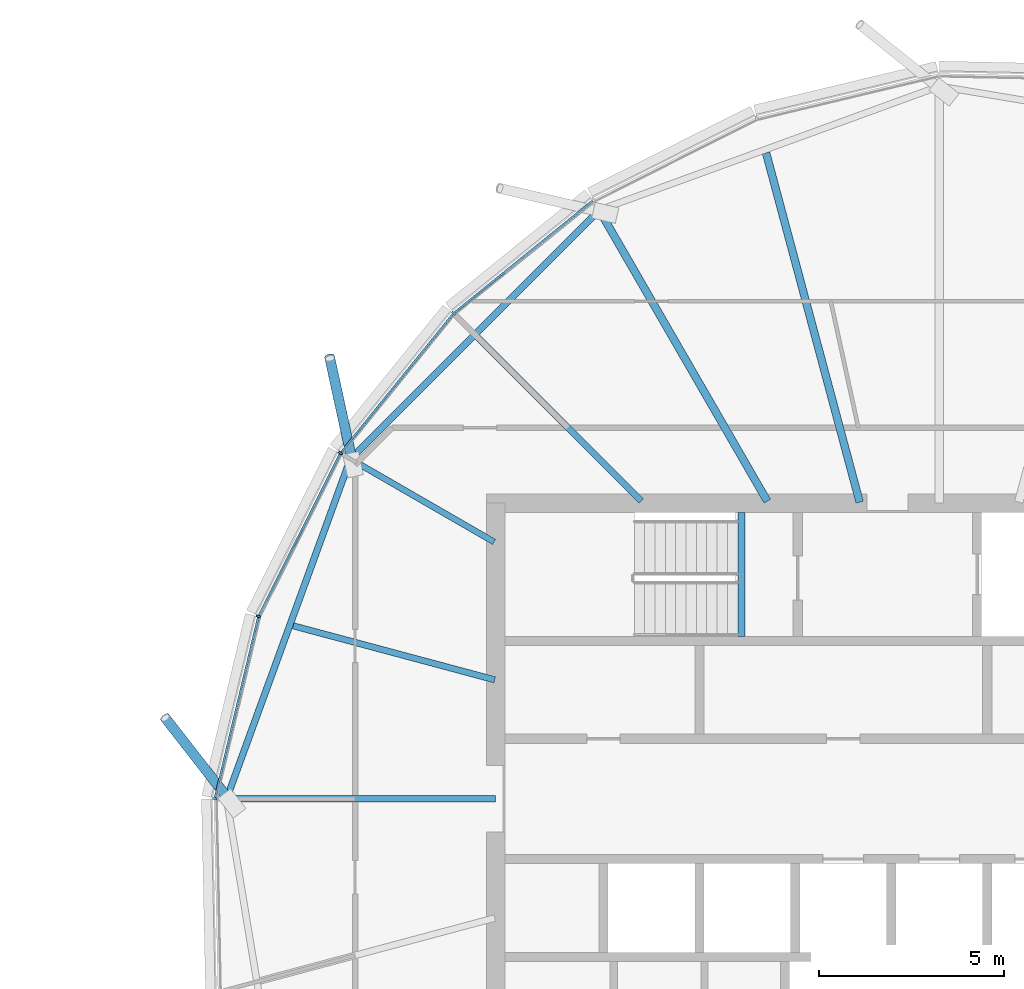
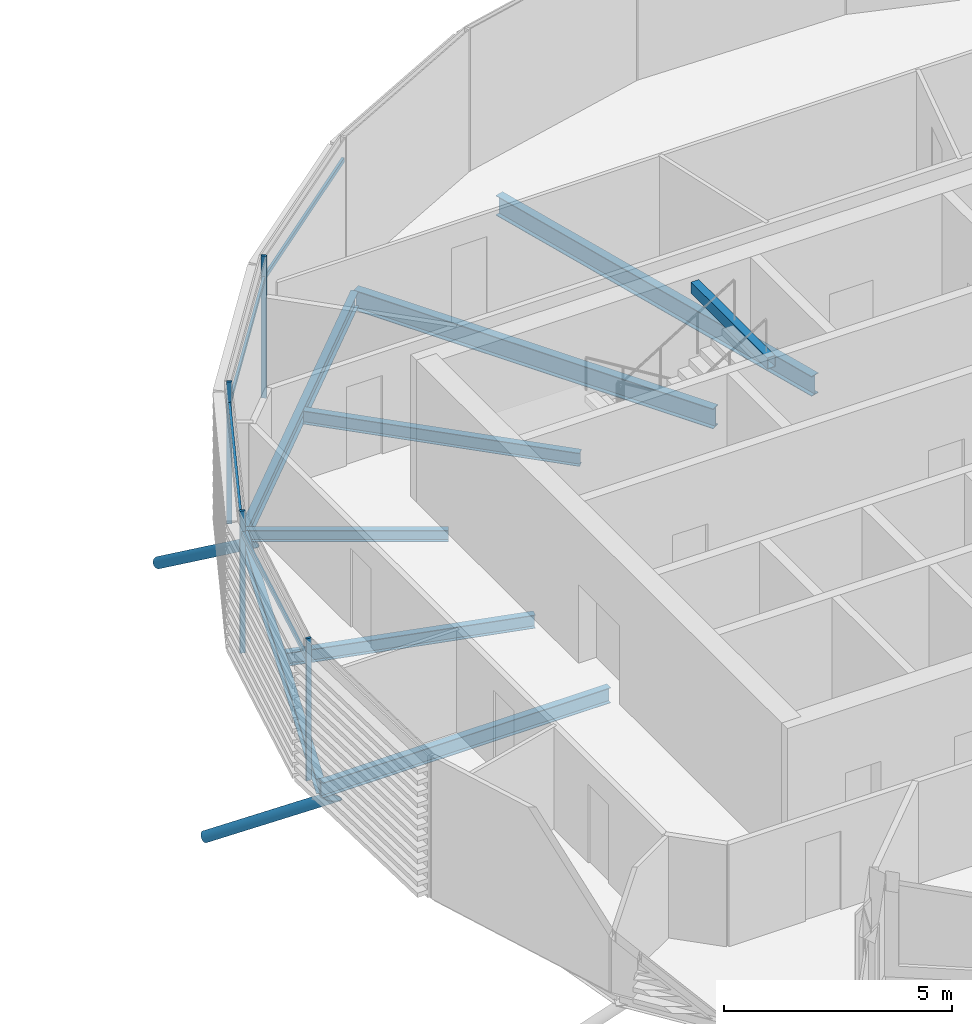
# One storey, part 12 of 35: 10 members, 9 beams, 1 element without a shape of its own.
"""IFC4 building model written with IfcOpenShell, lengths in metres."""

from ifc_helpers import new_model, si_unit, direction, frame, origin, origin_2d, place, context, subcontext, project, spatial, rectangle, hollow_rectangle, hollow_circle, i_section, extrude, clip, halfspace, material, material_profile, profile_set, type_object, element, aggregate, save


model = new_model("IFC4")

# Units and contexts
model_context = context("Model", 3, precision=1e-05, world=origin(), true_north=direction((0.0, 1.0)))
body_context = subcontext(model_context, "Body", "Model", "MODEL_VIEW")
ifc_project = project(units=[si_unit("LENGTHUNIT", "METRE"), si_unit("AREAUNIT", "SQUARE_METRE"), si_unit("VOLUMEUNIT", "CUBIC_METRE"), si_unit("PLANEANGLEUNIT", "RADIAN"), si_unit("MASSUNIT", "GRAM", prefix="KILO")], contexts=[model_context])

# Site, building, storey
site_placement = place(None, origin())
site = spatial("IfcSite", under=ifc_project, at=site_placement, CompositionType="ELEMENT")
building_placement = place(site_placement, origin())
building = spatial("IfcBuilding", under=site, at=building_placement, Name="Rimbun Link Towers", CompositionType="ELEMENT")
storey_placement = place(building_placement, frame((0.0, 0.0, 229.5)))
storey = spatial("IfcBuildingStorey", under=building, at=storey_placement, Name="L56", CompositionType="ELEMENT", Elevation=229.5)

# Curtain wall, members
ifc_material_1 = material(Name="Aluminium 6063-T6 and low-iron glass", Category="aluminium")
curtain_wall_type = type_object("IfcCurtainWallType", Name="CW1-Z4 unitised vision wall (zone 4)", PredefinedType="NOTDEFINED", material=ifc_material_1)
curtain_wall_placement = place(storey_placement, origin())
curtain_wall = element("IfcCurtainWall", 1, at=curtain_wall_placement, inside=storey, type_object=curtain_wall_type, Name="CW1 L56 T2", PredefinedType="NOTDEFINED")
ifc_material_2 = material(Name="Aluminium 6063-T6", Category="aluminium")
ifc_material_profile_1 = material_profile(ifc_material_2, rectangle(XDim=0.1201171875, YDim=0.06005859375, at=origin_2d()), Name="MULLION 60X120")
ifc_profile_set_1 = profile_set([ifc_material_profile_1], Name="Aluminium 6063-T6")
member_type_1 = type_object("IfcMemberType", Name="CW1 mullion 60X120", PredefinedType="MULLION", material=ifc_profile_set_1)
member_1_placement = place(storey_placement, frame((18.61181640625, 13.13818359375, 0.0), z_axis=(0.0, 0.0, 1.0), x_axis=(-0.707106781187, 0.707106781187, 0.0)))
member_1 = element("IfcMember", 2, at=member_1_placement, type_object=member_type_1, Name="CW1 mullion", PredefinedType="MULLION", context=body_context, shape_type="SweptSolid", body=[
    extrude(rectangle(XDim=0.1201171875, YDim=0.06005859375, at=origin_2d()), origin(), (0.0, 0.0, 1.0), 3.800048828125),
])
member_2_placement = place(storey_placement, frame((15.550537109375, 9.356201171875, 0.0), z_axis=(0.0, 0.0, 1.0), x_axis=(-0.840315598857, 0.542097495214, 0.0)))
member_2 = element("IfcMember", 3, at=member_2_placement, type_object=member_type_1, Name="CW1 mullion", PredefinedType="MULLION", context=body_context, shape_type="SweptSolid", body=[
    extrude(rectangle(XDim=0.1201171875, YDim=0.06005859375, at=origin_2d()), origin(), (0.0, 0.0, 1.0), 3.800048828125),
])
member_3_placement = place(storey_placement, frame((13.3330078125, 4.940185546875, 0.0), z_axis=(0.0, 0.0, 1.0), x_axis=(-0.939348465914, 0.342964224935, 0.0)))
member_3 = element("IfcMember", 4, at=member_3_placement, type_object=member_type_1, Name="CW1 mullion", PredefinedType="MULLION", context=body_context, shape_type="SweptSolid", body=[
    extrude(rectangle(XDim=0.1201171875, YDim=0.06005859375, at=origin_2d()), origin(), (0.0, 0.0, 1.0), 3.800048828125),
])
member_4_placement = place(storey_placement, frame((12.153076171875, 0.00634765625, 0.0), z_axis=(0.0, 0.0, 1.0), x_axis=(-0.994297974895, 0.106637409565, 0.0)))
member_4 = element("IfcMember", 5, at=member_4_placement, type_object=member_type_1, Name="CW1 mullion", PredefinedType="MULLION", context=body_context, shape_type="SweptSolid", body=[
    extrude(rectangle(XDim=0.1201171875, YDim=0.06005859375, at=origin_2d()), origin(), (0.0, 0.0, 1.0), 3.800048828125),
])
ifc_material_3 = material(Name="Aluminium 6063-T6", Category="aluminium")
ifc_material_profile_2 = material_profile(ifc_material_3, rectangle(XDim=0.06005859375, YDim=0.1201171875, at=origin_2d()), Name="TRANSOM 60X120")
ifc_profile_set_2 = profile_set([ifc_material_profile_2], Name="Aluminium 6063-T6")
member_type_2 = type_object("IfcMemberType", Name="CW1 transom 60X120", PredefinedType="USERDEFINED", material=ifc_profile_set_2)
member_5_placement = place(storey_placement, frame((18.64111328125, 13.15966796875, 3.199951171875), z_axis=(0.777257918957, 0.6291821099, 0.0), x_axis=(-0.6291821099, 0.777257918957, 0.0)))
member_5 = element("IfcMember", 6, at=member_5_placement, type_object=member_type_2, Name="CW1 transom", ObjectType="TRANSOM", PredefinedType="USERDEFINED", context=body_context, shape_type="SweptSolid", body=[
    extrude(rectangle(XDim=0.06005859375, YDim=0.1201171875, at=origin_2d()), origin(), (0.0, 0.0, 1.0), 4.79296875),
])
member_6_placement = place(storey_placement, frame((15.57470703125, 9.383544921875, 3.199951171875), z_axis=(0.6291821099, 0.777257918957, 0.0), x_axis=(-0.777257918957, 0.6291821099, 0.0)))
member_6 = element("IfcMember", 7, at=member_6_placement, type_object=member_type_2, Name="CW1 transom", ObjectType="TRANSOM", PredefinedType="USERDEFINED", context=body_context, shape_type="SweptSolid", body=[
    extrude(rectangle(XDim=0.06005859375, YDim=0.1201171875, at=origin_2d()), origin(), (0.0, 0.0, 1.0), 4.79296875),
])
member_7_placement = place(storey_placement, frame((13.350830078125, 4.97265625, 3.199951171875), z_axis=(0.448797652248, 0.893633407688, 0.0), x_axis=(-0.893633407688, 0.448797652248, 0.0)))
member_7 = element("IfcMember", 8, at=member_7_placement, type_object=member_type_2, Name="CW1 transom", ObjectType="TRANSOM", PredefinedType="USERDEFINED", context=body_context, shape_type="SweptSolid", body=[
    extrude(rectangle(XDim=0.06005859375, YDim=0.1201171875, at=origin_2d()), origin(), (0.0, 0.0, 1.0), 4.8681640625),
])
member_8_placement = place(storey_placement, frame((12.163330078125, 0.042724609375, 3.199951171875), z_axis=(0.232593300846, 0.972574087873, 0.0), x_axis=(-0.972574087873, 0.232593300846, 0.0)))
member_8 = element("IfcMember", 9, at=member_8_placement, type_object=member_type_2, Name="CW1 transom", ObjectType="TRANSOM", PredefinedType="USERDEFINED", context=body_context, shape_type="SweptSolid", body=[
    extrude(rectangle(XDim=0.06005859375, YDim=0.1201171875, at=origin_2d()), origin(), (0.0, 0.0, 1.0), 4.99853515625),
])
aggregate(curtain_wall, [member_1, member_2, member_3, member_4, member_5, member_6, member_7, member_8])

# Members
ifc_material_4 = material(Name="Steel S355J2H", Category="steel")
ifc_material_profile_3 = material_profile(ifc_material_4, hollow_circle(Radius=0.136474609375, WallThickness=0.012451171875, at=origin_2d()), Name="CHS 273x12.5")
ifc_profile_set_3 = profile_set([ifc_material_profile_3], Name="Steel S355J2H")
member_type_3 = type_object("IfcMemberType", Name="Floor edge link CHS 273x12.5", PredefinedType="BRACE", material=ifc_profile_set_3)
member_9_placement = place(storey_placement, frame((15.86328125, 9.172119140625, -0.5556640625), z_axis=(-0.174814323544, 0.803385519918, -0.569220219835), x_axis=(-0.977134611577, -0.21262161428, 0.0)))
element("IfcMember", 10, at=member_9_placement, inside=storey, type_object=member_type_3, Name="Floor edge link T2 L56 07", PredefinedType="BRACE", context=body_context, shape_type="Clipping", body=[
    clip(extrude(hollow_circle(Radius=0.136474609375, WallThickness=0.012451171875, at=origin_2d()), frame((0.0, 0.0, -0.411865234375)), (0.0, 0.0, 1.0), 3.879638671875), halfspace(frame((0.0, 0.0, -0.193603515625), z_axis=(0.0, 0.822185101623, -0.569220219835)), False)),
])
member_10_placement = place(storey_placement, frame((12.519775390625, 0.0, -0.66259765625), z_axis=(-0.523429142119, 0.671472710357, -0.524543928024), x_axis=(-0.788684301928, -0.614798399389, 0.0)))
element("IfcMember", 11, at=member_10_placement, inside=storey, type_object=member_type_3, Name="Floor edge link T2 L56 09", PredefinedType="BRACE", context=body_context, shape_type="Clipping", body=[
    clip(extrude(hollow_circle(Radius=0.136474609375, WallThickness=0.012451171875, at=origin_2d()), frame((0.0, 0.0, -0.462158203125)), (0.0, 0.0, 1.0), 3.7470703125), halfspace(frame((0.0, 0.0, -0.2177734375), z_axis=(0.0, 0.8513833846, -0.524543928024)), False)),
])

# Beams
ifc_material_5 = material(Name="Steel S355J2", Category="steel")
ifc_material_profile_4 = material_profile(ifc_material_5, hollow_rectangle(XDim=0.199951171875, YDim=0.300048828125, WallThickness=0.011962890625, at=origin_2d()), Name="BOX 300x200x12")
ifc_profile_set_4 = profile_set([ifc_material_profile_4], Name="Steel S355J2")
beam_type_1 = type_object("IfcBeamType", Name="Stair trimmer beam BOX 300x200x12", PredefinedType="BEAM", material=ifc_profile_set_4)
beam_1_placement = place(storey_placement, frame((26.39990234375, 7.75, 3.510009765625), z_axis=(0.0, -1.0, 0.0), x_axis=(1.0, 0.0, 0.0)))
element("IfcBeam", 12, at=beam_1_placement, inside=storey, type_object=beam_type_1, Name="L56 ST3 stair beam 1", PredefinedType="BEAM", context=body_context, shape_type="SweptSolid", body=[
    extrude(hollow_rectangle(XDim=0.199951171875, YDim=0.300048828125, WallThickness=0.011962890625, at=origin_2d()), origin(), (0.0, 0.0, 1.0), 3.35009765625),
])
ifc_material_6 = material(Name="Steel S355J2", Category="steel")
ifc_material_profile_5 = material_profile(ifc_material_6, i_section(OverallWidth=0.1650390625, OverallDepth=0.303466796875, WebThickness=0.006103515625, FlangeThickness=0.01025390625, at=origin_2d()), Name="UB 305x165x40")
ifc_profile_set_5 = profile_set([ifc_material_profile_5], Name="Steel S355J2")
beam_type_2 = type_object("IfcBeamType", Name="UB 305x165x40", PredefinedType="BEAM", material=ifc_profile_set_5)
beam_2_placement = place(storey_placement, frame((19.7080078125, 6.952392578125, -0.291748046875), z_axis=(-0.866032539631, 0.499987640148, 0.0), x_axis=(-0.499987640148, -0.866032539631, 0.0)))
element("IfcBeam", 13, at=beam_2_placement, inside=storey, type_object=beam_type_2, Name="Radial beam T2 L56 07", PredefinedType="BEAM", context=body_context, shape_type="SweptSolid", body=[
    extrude(i_section(OverallWidth=0.1650390625, OverallDepth=0.303466796875, WebThickness=0.006103515625, FlangeThickness=0.01025390625, at=origin_2d()), origin(), (0.0, 0.0, 1.0), 4.4892578125),
])
ifc_material_7 = material(Name="Steel S355J2", Category="steel")
ifc_material_profile_6 = material_profile(ifc_material_7, i_section(OverallWidth=0.17138671875, OverallDepth=0.35498046875, WebThickness=0.00732421875, FlangeThickness=0.011474609375, at=origin_2d()), Name="UB 356x171x51")
ifc_profile_set_6 = profile_set([ifc_material_profile_6], Name="Steel S355J2")
beam_type_3 = type_object("IfcBeamType", Name="UB 356x171x51", PredefinedType="BEAM", material=ifc_profile_set_6)
beam_3_placement = place(storey_placement, frame((23.688720703125, 8.061279296875, -0.3173828125), z_axis=(-0.707106781187, 0.707106781187, 0.0), x_axis=(-0.707106781187, -0.707106781187, 0.0)))
element("IfcBeam", 14, at=beam_3_placement, inside=storey, type_object=beam_type_3, Name="Radial beam T2 L56 06", PredefinedType="BEAM", context=body_context, shape_type="SweptSolid", body=[
    extrude(i_section(OverallWidth=0.17138671875, OverallDepth=0.35498046875, WebThickness=0.00732421875, FlangeThickness=0.011474609375, at=origin_2d()), origin(), (0.0, 0.0, 1.0), 6.27734375),
])
beam_4_placement = place(storey_placement, frame((19.726806640625, 3.2216796875, -0.3173828125), z_axis=(-0.965929335285, 0.258805948998, 0.0), x_axis=(-0.258805948998, -0.965929335285, 0.0)))
element("IfcBeam", 15, at=beam_4_placement, inside=storey, type_object=beam_type_3, Name="Radial beam T2 L56 08", PredefinedType="BEAM", context=body_context, shape_type="SweptSolid", body=[
    extrude(i_section(OverallWidth=0.17138671875, OverallDepth=0.35498046875, WebThickness=0.00732421875, FlangeThickness=0.011474609375, at=origin_2d()), origin(), (0.0, 0.0, 1.0), 5.647705078125),
])
ifc_material_8 = material(Name="Steel S355J2", Category="steel")
ifc_material_profile_7 = material_profile(ifc_material_8, i_section(OverallWidth=0.177978515625, OverallDepth=0.406494140625, WebThickness=0.0078125, FlangeThickness=0.0126953125, at=origin_2d()), Name="UB 406x178x60")
ifc_profile_set_7 = profile_set([ifc_material_profile_7], Name="Steel S355J2")
beam_type_4 = type_object("IfcBeamType", Name="UB 406x178x60", PredefinedType="BEAM", material=ifc_profile_set_7)
beam_5_placement = place(storey_placement, frame((19.7490234375, 0.0, -0.34326171875), z_axis=(-1.0, 0.0, 0.0), x_axis=(0.0, -1.0, 0.0)))
element("IfcBeam", 16, at=beam_5_placement, inside=storey, type_object=beam_type_4, Name="Radial beam T2 L56 09", PredefinedType="BEAM", context=body_context, shape_type="SweptSolid", body=[
    extrude(i_section(OverallWidth=0.177978515625, OverallDepth=0.406494140625, WebThickness=0.0078125, FlangeThickness=0.0126953125, at=origin_2d()), origin(), (0.0, 0.0, 1.0), 7.279296875),
])
beam_6_placement = place(storey_placement, frame((22.4755859375, 15.8525390625, -0.34326171875), z_axis=(-0.707119870545, -0.707093691586, 0.0), x_axis=(0.707093691586, -0.707119870545, 0.0)))
element("IfcBeam", 17, at=beam_6_placement, inside=storey, type_object=beam_type_4, Name="Edge beam T2 L56 05-07", PredefinedType="BEAM", context=body_context, shape_type="SweptSolid", body=[
    extrude(i_section(OverallWidth=0.177978515625, OverallDepth=0.406494140625, WebThickness=0.0078125, FlangeThickness=0.0126953125, at=origin_2d()), origin(), (0.0, 0.0, 1.0), 9.325927734375),
])
beam_7_placement = place(storey_placement, frame((15.791015625, 9.117431640625, -0.34326171875), z_axis=(-0.342277552757, -0.939598891484, 0.0), x_axis=(0.939598891484, -0.342277552757, 0.0)))
element("IfcBeam", 18, at=beam_7_placement, inside=storey, type_object=beam_type_4, Name="Edge beam T2 L56 07-09", PredefinedType="BEAM", context=body_context, shape_type="SweptSolid", body=[
    extrude(i_section(OverallWidth=0.177978515625, OverallDepth=0.406494140625, WebThickness=0.0078125, FlangeThickness=0.0126953125, at=origin_2d()), origin(), (0.0, 0.0, 1.0), 9.60791015625),
])
ifc_material_9 = material(Name="Steel S355J2", Category="steel")
ifc_material_profile_8 = material_profile(ifc_material_9, i_section(OverallWidth=0.209228515625, OverallDepth=0.533203125, WebThickness=0.010009765625, FlangeThickness=0.015625, at=origin_2d()), Name="UB 533x210x92")
ifc_profile_set_8 = profile_set([ifc_material_profile_8], Name="Steel S355J2")
beam_type_5 = type_object("IfcBeamType", Name="UB 533x210x92", PredefinedType="BEAM", material=ifc_profile_set_8)
beam_8_placement = place(storey_placement, frame((29.598876953125, 8.028076171875, -0.406494140625), z_axis=(-0.258817990667, 0.965926108824, 0.0), x_axis=(-0.965926108824, -0.258817990667, 0.0)))
element("IfcBeam", 19, at=beam_8_placement, inside=storey, type_object=beam_type_5, Name="Radial beam T2 L56 04", PredefinedType="BEAM", context=body_context, shape_type="SweptSolid", body=[
    extrude(i_section(OverallWidth=0.209228515625, OverallDepth=0.533203125, WebThickness=0.010009765625, FlangeThickness=0.015625, at=origin_2d()), origin(), (0.0, 0.0, 1.0), 9.78369140625),
])
beam_9_placement = place(storey_placement, frame((27.1005859375, 8.05322265625, -0.406494140625), z_axis=(-0.499998958472, 0.86602600511, 0.0), x_axis=(-0.86602600511, -0.499998958472, 0.0)))
element("IfcBeam", 20, at=beam_9_placement, inside=storey, type_object=beam_type_5, Name="Radial beam T2 L56 05", PredefinedType="BEAM", context=body_context, shape_type="SweptSolid", body=[
    extrude(i_section(OverallWidth=0.209228515625, OverallDepth=0.533203125, WebThickness=0.010009765625, FlangeThickness=0.015625, at=origin_2d()), origin(), (0.0, 0.0, 1.0), 9.09521484375),
])

save(model, "model.ifc")
